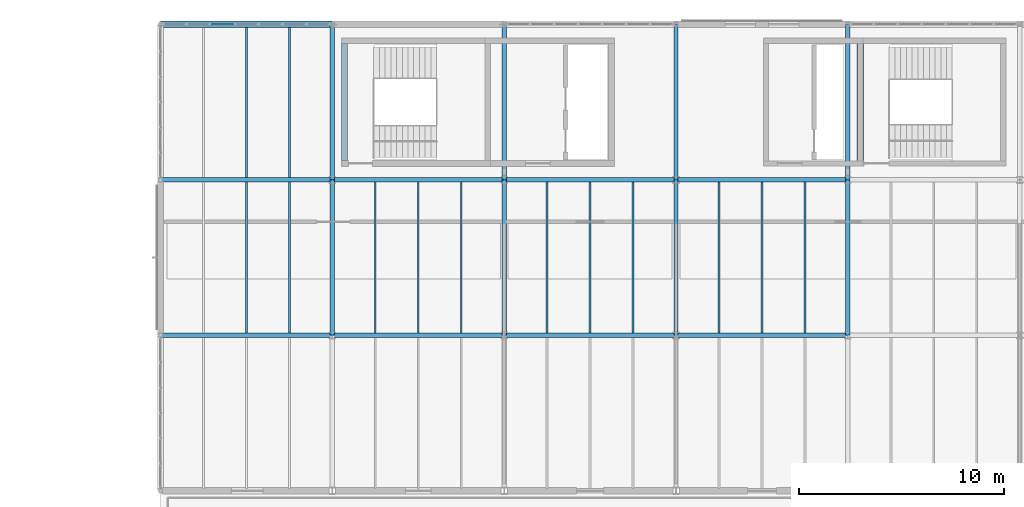
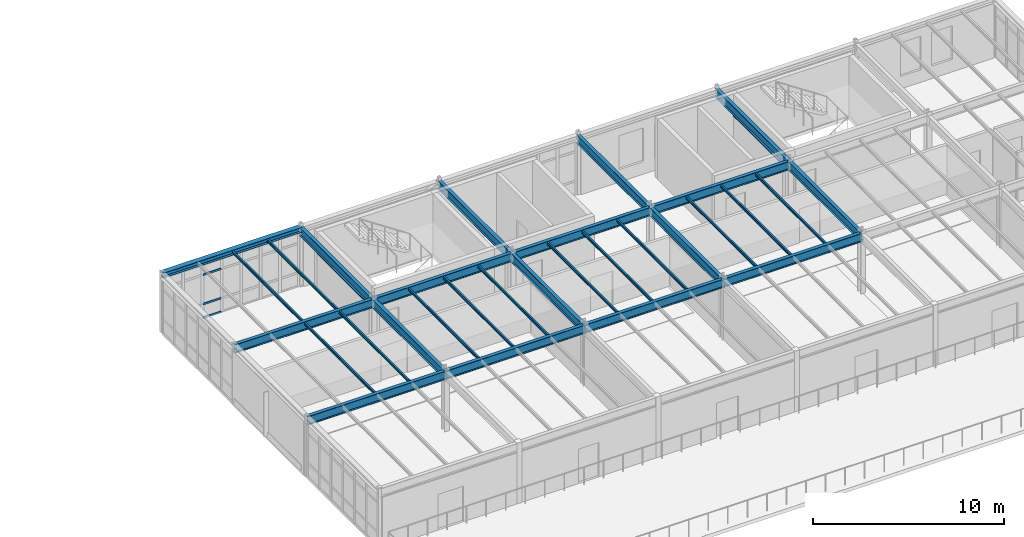
# One storey, part 19 of 65: 32 beams, 4 members, 1 element without a shape of its own.
"""IFC4 building model written with IfcOpenShell, lengths in metres."""

from ifc_helpers import new_model, si_unit, direction, frame, origin, origin_2d, place, context, subcontext, project, spatial, rectangle, hollow_rectangle, i_section, extrude, material, layer, layer_set, material_profile, profile_set, type_object, element, aggregate, save


model = new_model("IFC4")

# Units and contexts
model_context = context("Model", 3, precision=1e-05, world=origin(), true_north=direction((0.0, 1.0)))
body_context = subcontext(model_context, "Body", "Model", "MODEL_VIEW")
ifc_project = project(units=[si_unit("LENGTHUNIT", "METRE"), si_unit("AREAUNIT", "SQUARE_METRE"), si_unit("VOLUMEUNIT", "CUBIC_METRE"), si_unit("PLANEANGLEUNIT", "RADIAN"), si_unit("MASSUNIT", "GRAM", prefix="KILO")], contexts=[model_context])

# Site, building, storey
site_placement = place(None, origin())
site = spatial("IfcSite", under=ifc_project, at=site_placement, CompositionType="ELEMENT")
building_placement = place(site_placement, origin())
building = spatial("IfcBuilding", under=site, at=building_placement, Name="Montecoro Central Library", CompositionType="ELEMENT")
storey_placement = place(building_placement, frame((0.0, 0.0, 17.340087890625)))
storey = spatial("IfcBuildingStorey", under=building, at=storey_placement, Name="L04", CompositionType="ELEMENT", Elevation=17.340087890625)

# Beams
ifc_material_1 = material(Name="Steel S355J2", Category="steel")
ifc_material_profile_1 = material_profile(ifc_material_1, i_section(OverallWidth=0.2099609375, OverallDepth=0.550048828125, WebThickness=0.010986328125, FlangeThickness=0.01708984375, at=origin_2d()), Name="IPE 550")
ifc_profile_set_1 = profile_set([ifc_material_profile_1], Name="Steel S355J2")
beam_type_1 = type_object("IfcBeamType", Name="BM-G-IPE550", PredefinedType="USERDEFINED", material=ifc_profile_set_1)
beam_1_placement = place(storey_placement, frame((66.405029296875, 103.800048828125, 3.5498046875), z_axis=(1.0, 0.0, 0.0), x_axis=(0.0, 1.0, 0.0)))
element("IfcBeam", 1, at=beam_1_placement, inside=storey, type_object=beam_type_1, Name="V2-L04-BX-910-P", ObjectType="GIRDER", PredefinedType="USERDEFINED", context=body_context, shape_type="SweptSolid", body=[
    extrude(i_section(OverallWidth=0.2099609375, OverallDepth=0.550048828125, WebThickness=0.010986328125, FlangeThickness=0.01708984375, at=origin_2d()), origin(), (0.0, 0.0, 1.0), 8.389892578125),
])
beam_2_placement = place(storey_placement, frame((74.804931640625, 103.800048828125, 3.5498046875), z_axis=(1.0, 0.0, 0.0), x_axis=(0.0, 1.0, 0.0)))
element("IfcBeam", 2, at=beam_2_placement, inside=storey, type_object=beam_type_1, Name="V2-L04-BX-1011-P", ObjectType="GIRDER", PredefinedType="USERDEFINED", context=body_context, shape_type="SweptSolid", body=[
    extrude(i_section(OverallWidth=0.2099609375, OverallDepth=0.550048828125, WebThickness=0.010986328125, FlangeThickness=0.01708984375, at=origin_2d()), origin(), (0.0, 0.0, 1.0), 8.39013671875),
])
beam_3_placement = place(storey_placement, frame((83.205078125, 103.800048828125, 3.5498046875), z_axis=(1.0, 0.0, 0.0), x_axis=(0.0, 1.0, 0.0)))
element("IfcBeam", 3, at=beam_3_placement, inside=storey, type_object=beam_type_1, Name="V2-L04-BX-1112-P", ObjectType="GIRDER", PredefinedType="USERDEFINED", context=body_context, shape_type="SweptSolid", body=[
    extrude(i_section(OverallWidth=0.2099609375, OverallDepth=0.550048828125, WebThickness=0.010986328125, FlangeThickness=0.01708984375, at=origin_2d()), origin(), (0.0, 0.0, 1.0), 8.389892578125),
])
beam_4_placement = place(storey_placement, frame((91.60498046875, 103.800048828125, 3.5498046875), z_axis=(1.0, 0.0, 0.0), x_axis=(0.0, 1.0, 0.0)))
element("IfcBeam", 4, at=beam_4_placement, inside=storey, type_object=beam_type_1, Name="V2-L04-BX-1213-P", ObjectType="GIRDER", PredefinedType="USERDEFINED", context=body_context, shape_type="SweptSolid", body=[
    extrude(i_section(OverallWidth=0.2099609375, OverallDepth=0.550048828125, WebThickness=0.010986328125, FlangeThickness=0.01708984375, at=origin_2d()), origin(), (0.0, 0.0, 1.0), 8.39013671875),
])
beam_5_placement = place(storey_placement, frame((66.405029296875, 111.39990234375, 3.5498046875), z_axis=(1.0, 0.0, 0.0), x_axis=(0.0, 1.0, 0.0)))
element("IfcBeam", 5, at=beam_5_placement, inside=storey, type_object=beam_type_1, Name="V2-L04-BX-910-Q", ObjectType="GIRDER", PredefinedType="USERDEFINED", context=body_context, shape_type="SweptSolid", body=[
    extrude(i_section(OverallWidth=0.2099609375, OverallDepth=0.550048828125, WebThickness=0.010986328125, FlangeThickness=0.01708984375, at=origin_2d()), origin(), (0.0, 0.0, 1.0), 8.389892578125),
])
beam_6_placement = place(storey_placement, frame((74.804931640625, 111.39990234375, 3.5498046875), z_axis=(1.0, 0.0, 0.0), x_axis=(0.0, 1.0, 0.0)))
element("IfcBeam", 6, at=beam_6_placement, inside=storey, type_object=beam_type_1, Name="V2-L04-BX-1011-Q", ObjectType="GIRDER", PredefinedType="USERDEFINED", context=body_context, shape_type="SweptSolid", body=[
    extrude(i_section(OverallWidth=0.2099609375, OverallDepth=0.550048828125, WebThickness=0.010986328125, FlangeThickness=0.01708984375, at=origin_2d()), origin(), (0.0, 0.0, 1.0), 8.39013671875),
])
beam_7_placement = place(storey_placement, frame((83.205078125, 111.39990234375, 3.5498046875), z_axis=(1.0, 0.0, 0.0), x_axis=(0.0, 1.0, 0.0)))
element("IfcBeam", 7, at=beam_7_placement, inside=storey, type_object=beam_type_1, Name="V2-L04-BX-1112-Q", ObjectType="GIRDER", PredefinedType="USERDEFINED", context=body_context, shape_type="SweptSolid", body=[
    extrude(i_section(OverallWidth=0.2099609375, OverallDepth=0.550048828125, WebThickness=0.010986328125, FlangeThickness=0.01708984375, at=origin_2d()), origin(), (0.0, 0.0, 1.0), 8.389892578125),
])
beam_8_placement = place(storey_placement, frame((91.60498046875, 111.39990234375, 3.5498046875), z_axis=(1.0, 0.0, 0.0), x_axis=(0.0, 1.0, 0.0)))
element("IfcBeam", 8, at=beam_8_placement, inside=storey, type_object=beam_type_1, Name="V2-L04-BX-1213-Q", ObjectType="GIRDER", PredefinedType="USERDEFINED", context=body_context, shape_type="SweptSolid", body=[
    extrude(i_section(OverallWidth=0.2099609375, OverallDepth=0.550048828125, WebThickness=0.010986328125, FlangeThickness=0.01708984375, at=origin_2d()), origin(), (0.0, 0.0, 1.0), 8.39013671875),
])
for number, where, z_axis, x_axis, name in (
    (9, (74.800048828125, 103.804931640625, 3.5498046875), (0.0, 1.0, 0.0), (-1.0, 0.0, 0.0), "V2-L04-BY-10-PQ"),
    (10, (74.800048828125, 111.405029296875, 3.5498046875), (0.0, 1.0, 0.0), (-1.0, 0.0, 0.0), "V2-L04-BY-10-QR"),
    (11, (83.199951171875, 103.804931640625, 3.5498046875), (0.0, 1.0, 0.0), (-1.0, 0.0, 0.0), "V2-L04-BY-11-PQ"),
    (12, (83.199951171875, 111.405029296875, 3.5498046875), (0.0, 1.0, 0.0), (-1.0, 0.0, 0.0), "V2-L04-BY-11-QR"),
    (13, (91.60009765625, 103.804931640625, 3.5498046875), (0.0, 1.0, 0.0), (-1.0, 0.0, 0.0), "V2-L04-BY-12-PQ"),
    (14, (91.60009765625, 111.405029296875, 3.5498046875), (0.0, 1.0, 0.0), (-1.0, 0.0, 0.0), "V2-L04-BY-12-QR"),
    (15, (100.0, 103.804931640625, 3.5498046875), (0.0, 1.0, 0.0), (-1.0, 0.0, 0.0), "V2-L04-BY-13-PQ"),
    (16, (100.0, 111.405029296875, 3.5498046875), (0.0, 1.0, 0.0), (-1.0, 0.0, 0.0), "V2-L04-BY-13-QR"),
):
    element("IfcBeam", number, at=place(storey_placement, frame(where, z_axis=z_axis, x_axis=x_axis)), inside=storey, type_object=beam_type_1, Name=name, ObjectType="GIRDER", PredefinedType="USERDEFINED", context=body_context, shape_type="SweptSolid", body=[
        extrude(i_section(OverallWidth=0.2099609375, OverallDepth=0.550048828125, WebThickness=0.010986328125, FlangeThickness=0.01708984375, at=origin_2d()), origin(), (0.0, 0.0, 1.0), 7.590087890625),
    ])
ifc_material_2 = material(Name="Steel S355", Category="steel")
ifc_material_profile_2 = material_profile(ifc_material_2, i_section(OverallWidth=0.091064453125, OverallDepth=0.179931640625, WebThickness=0.00537109375, FlangeThickness=0.008056640625, at=origin_2d()), Name="IPE 180")
ifc_profile_set_2 = profile_set([ifc_material_profile_2], Name="Steel S355")
beam_type_2 = type_object("IfcBeamType", Name="BM-J-IPE180", PredefinedType="JOIST", material=ifc_profile_set_2)
for number, where, z_axis, x_axis, name in (
    (17, (70.60009765625, 103.902099609375, 3.73486328125), (0.0, 1.0, 0.0), (-1.0, 0.0, 0.0), "V2-L04-JS-910-PQ-2"),
    (18, (72.699951171875, 103.902099609375, 3.73486328125), (0.0, 1.0, 0.0), (-1.0, 0.0, 0.0), "V2-L04-JS-910-PQ-3"),
):
    element("IfcBeam", number, at=place(storey_placement, frame(where, z_axis=z_axis, x_axis=x_axis)), inside=storey, type_object=beam_type_2, Name=name, PredefinedType="JOIST", context=body_context, shape_type="SweptSolid", body=[
        extrude(i_section(OverallWidth=0.091064453125, OverallDepth=0.179931640625, WebThickness=0.00537109375, FlangeThickness=0.008056640625, at=origin_2d()), origin(), (0.0, 0.0, 1.0), 7.39599609375),
    ])
for number, where, z_axis, x_axis, name in (
    (19, (70.60009765625, 111.501953125, 3.73486328125), (0.0, 1.0, 0.0), (-1.0, 0.0, 0.0), "V2-L04-JS-910-QR-2"),
    (20, (72.699951171875, 111.501953125, 3.73486328125), (0.0, 1.0, 0.0), (-1.0, 0.0, 0.0), "V2-L04-JS-910-QR-3"),
):
    element("IfcBeam", number, at=place(storey_placement, frame(where, z_axis=z_axis, x_axis=x_axis)), inside=storey, type_object=beam_type_2, Name=name, PredefinedType="JOIST", context=body_context, shape_type="SweptSolid", body=[
        extrude(i_section(OverallWidth=0.091064453125, OverallDepth=0.179931640625, WebThickness=0.00537109375, FlangeThickness=0.008056640625, at=origin_2d()), origin(), (0.0, 0.0, 1.0), 7.35107421875),
    ])
for number, where, z_axis, x_axis, name in (
    (21, (76.89990234375, 103.902099609375, 3.73486328125), (0.0, 1.0, 0.0), (-1.0, 0.0, 0.0), "V2-L04-JS-1011-PQ-1"),
    (22, (79.0, 103.902099609375, 3.73486328125), (0.0, 1.0, 0.0), (-1.0, 0.0, 0.0), "V2-L04-JS-1011-PQ-2"),
    (23, (81.10009765625, 103.902099609375, 3.73486328125), (0.0, 1.0, 0.0), (-1.0, 0.0, 0.0), "V2-L04-JS-1011-PQ-3"),
    (24, (85.300048828125, 103.902099609375, 3.73486328125), (0.0, 1.0, 0.0), (-1.0, 0.0, 0.0), "V2-L04-JS-1112-PQ-1"),
    (25, (87.39990234375, 103.902099609375, 3.73486328125), (0.0, 1.0, 0.0), (-1.0, 0.0, 0.0), "V2-L04-JS-1112-PQ-2"),
    (26, (89.5, 103.902099609375, 3.73486328125), (0.0, 1.0, 0.0), (-1.0, 0.0, 0.0), "V2-L04-JS-1112-PQ-3"),
    (27, (93.699951171875, 103.902099609375, 3.73486328125), (0.0, 1.0, 0.0), (-1.0, 0.0, 0.0), "V2-L04-JS-1213-PQ-1"),
    (28, (95.800048828125, 103.902099609375, 3.73486328125), (0.0, 1.0, 0.0), (-1.0, 0.0, 0.0), "V2-L04-JS-1213-PQ-2"),
    (29, (97.89990234375, 103.902099609375, 3.73486328125), (0.0, 1.0, 0.0), (-1.0, 0.0, 0.0), "V2-L04-JS-1213-PQ-3"),
):
    element("IfcBeam", number, at=place(storey_placement, frame(where, z_axis=z_axis, x_axis=x_axis)), inside=storey, type_object=beam_type_2, Name=name, PredefinedType="JOIST", context=body_context, shape_type="SweptSolid", body=[
        extrude(i_section(OverallWidth=0.091064453125, OverallDepth=0.179931640625, WebThickness=0.00537109375, FlangeThickness=0.008056640625, at=origin_2d()), origin(), (0.0, 0.0, 1.0), 7.39599609375),
    ])
ifc_material_3 = material(Name="Concrete C35/45", Category="concrete")
ifc_material_profile_3 = material_profile(ifc_material_3, rectangle(XDim=0.300048828125, YDim=0.449951171875, at=origin_2d()), Name="RC LNT 450x300")
ifc_profile_set_3 = profile_set([ifc_material_profile_3], Name="Concrete C35/45")
beam_type_3 = type_object("IfcBeamType", Name="BM-LN-RC02", PredefinedType="LINTEL", material=ifc_profile_set_3)
beam_9_placement = place(storey_placement, frame((75.39990234375, 112.35009765625, 2.6748046875), z_axis=(0.0, 1.0, 0.0), x_axis=(-1.0, 0.0, 0.0)))
element("IfcBeam", 30, at=beam_9_placement, inside=storey, type_object=beam_type_3, Name="C2-L04-LNT", PredefinedType="LINTEL", context=body_context, shape_type="SweptSolid", body=[
    extrude(rectangle(XDim=0.300048828125, YDim=0.449951171875, at=origin_2d()), origin(), (0.0, 0.0, 1.0), 5.699951171875),
])
ifc_material_profile_4 = material_profile(ifc_material_3, rectangle(XDim=0.320068359375, YDim=0.5, at=origin_2d()), Name="RC LNT 500x320")
ifc_profile_set_4 = profile_set([ifc_material_profile_4], Name="Concrete C35/45")
beam_type_4 = type_object("IfcBeamType", Name="BM-LN-RC03", PredefinedType="LINTEL", material=ifc_profile_set_4)
beam_10_placement = place(storey_placement, frame((100.60009765625, 112.35009765625, 2.699951171875), z_axis=(0.0, 1.0, 0.0), x_axis=(-1.0, 0.0, 0.0)))
element("IfcBeam", 31, at=beam_10_placement, inside=storey, type_object=beam_type_4, Name="C3-L04-LNT", PredefinedType="LINTEL", context=body_context, shape_type="SweptSolid", body=[
    extrude(rectangle(XDim=0.320068359375, YDim=0.5, at=origin_2d()), origin(), (0.0, 0.0, 1.0), 5.699951171875),
])
ifc_material_profile_5 = material_profile(ifc_material_2, i_section(OverallWidth=0.300048828125, OverallDepth=0.330078125, WebThickness=0.009521484375, FlangeThickness=0.0166015625, at=origin_2d()), Name="HEA 340")
ifc_profile_set_5 = profile_set([ifc_material_profile_5], Name="Steel S355")
beam_type_5 = type_object("IfcBeamType", Name="BM-SP-HEA340", PredefinedType="SPANDREL", material=ifc_profile_set_5)
beam_11_placement = place(storey_placement, frame((66.405029296875, 119.0, 3.659912109375), z_axis=(1.0, 0.0, 0.0), x_axis=(0.0, 1.0, 0.0)))
element("IfcBeam", 32, at=beam_11_placement, inside=storey, type_object=beam_type_5, Name="V2-L04-BX-910-R", PredefinedType="SPANDREL", context=body_context, shape_type="SweptSolid", body=[
    extrude(i_section(OverallWidth=0.300048828125, OverallDepth=0.330078125, WebThickness=0.009521484375, FlangeThickness=0.0166015625, at=origin_2d()), origin(), (0.0, 0.0, 1.0), 8.389892578125),
])

# Curtain wall, members
ifc_material_4 = material(Name="Bronze-anodised aluminium and low-E glazing", Category="aluminium")
ifc_layer = layer(ifc_material_4, 0.159912109375)
ifc_layer_set = layer_set([ifc_layer], Name="Bronze-anodised aluminium and low-E glazing")
curtain_wall_type = type_object("IfcCurtainWallType", Name="CWT-022", PredefinedType="NOTDEFINED", material=ifc_layer_set)
curtain_wall_placement = place(storey_placement, origin())
curtain_wall = element("IfcCurtainWall", 33, at=curtain_wall_placement, inside=storey, type_object=curtain_wall_type, Name="V2-L04-CW-N0", PredefinedType="NOTDEFINED")
ifc_material_5 = material(Name="Bronze-anodised aluminium", Category="aluminium")
ifc_material_profile_6 = material_profile(ifc_material_5, hollow_rectangle(XDim=0.06005859375, YDim=0.1201171875, WallThickness=0.00390625, at=origin_2d()), Name="CWT 120x60x4.0")
ifc_profile_set_6 = profile_set([ifc_material_profile_6], Name="Bronze-anodised aluminium")
member_type = type_object("IfcMemberType", Name="CWT-BRZ-60", PredefinedType="USERDEFINED", material=ifc_profile_set_6)
member_1_placement = place(storey_placement, frame((69.9833984375, 119.0, 0.030029296875), z_axis=(-1.0, 0.0, 0.0), x_axis=(0.0, -1.0, 0.0)))
member_1 = element("IfcMember", 34, at=member_1_placement, type_object=member_type, Name="CW-022 transom 5.1", ObjectType="TRANSOM", PredefinedType="USERDEFINED", context=body_context, shape_type="SweptSolid", body=[
    extrude(hollow_rectangle(XDim=0.06005859375, YDim=0.1201171875, WallThickness=0.00390625, at=origin_2d()), origin(), (0.0, 0.0, 1.0), 1.113525390625),
])
member_2_placement = place(storey_placement, frame((69.9833984375, 119.0, 0.89990234375), z_axis=(-1.0, 0.0, 0.0), x_axis=(0.0, -1.0, 0.0)))
member_2 = element("IfcMember", 35, at=member_2_placement, type_object=member_type, Name="CW-022 transom 5.2", ObjectType="TRANSOM", PredefinedType="USERDEFINED", context=body_context, shape_type="SweptSolid", body=[
    extrude(hollow_rectangle(XDim=0.06005859375, YDim=0.1201171875, WallThickness=0.00390625, at=origin_2d()), origin(), (0.0, 0.0, 1.0), 1.113525390625),
])
member_3_placement = place(storey_placement, frame((69.9833984375, 119.0, 2.780029296875), z_axis=(-1.0, 0.0, 0.0), x_axis=(0.0, -1.0, 0.0)))
member_3 = element("IfcMember", 36, at=member_3_placement, type_object=member_type, Name="CW-022 transom 5.3", ObjectType="TRANSOM", PredefinedType="USERDEFINED", context=body_context, shape_type="SweptSolid", body=[
    extrude(hollow_rectangle(XDim=0.06005859375, YDim=0.1201171875, WallThickness=0.00390625, at=origin_2d()), origin(), (0.0, 0.0, 1.0), 1.113525390625),
])
member_4_placement = place(storey_placement, frame((69.9833984375, 119.0, 3.449951171875), z_axis=(-1.0, 0.0, 0.0), x_axis=(0.0, -1.0, 0.0)))
member_4 = element("IfcMember", 37, at=member_4_placement, type_object=member_type, Name="CW-022 transom 5.4", ObjectType="TRANSOM", PredefinedType="USERDEFINED", context=body_context, shape_type="SweptSolid", body=[
    extrude(hollow_rectangle(XDim=0.06005859375, YDim=0.1201171875, WallThickness=0.00390625, at=origin_2d()), origin(), (0.0, 0.0, 1.0), 1.113525390625),
])
aggregate(curtain_wall, [member_1, member_2, member_3, member_4])

save(model, "model.ifc")
